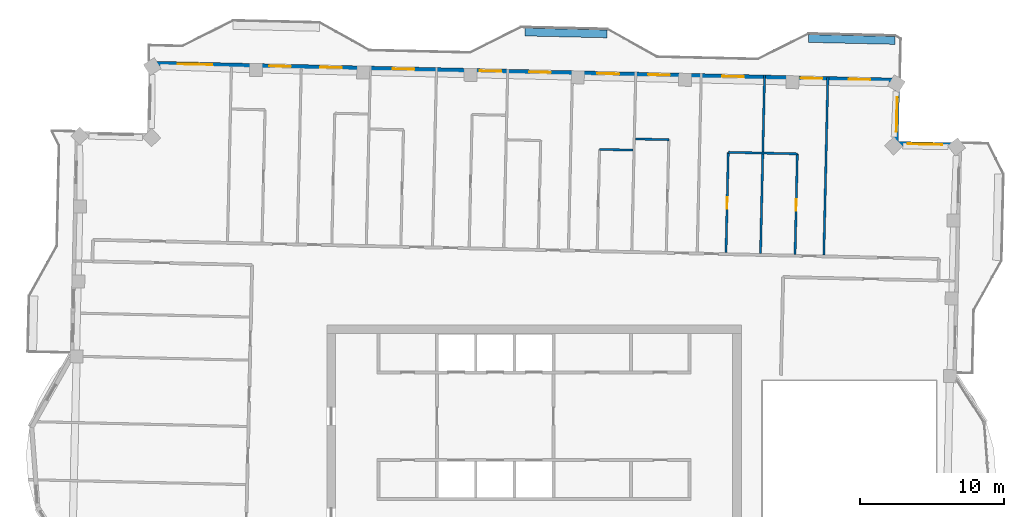
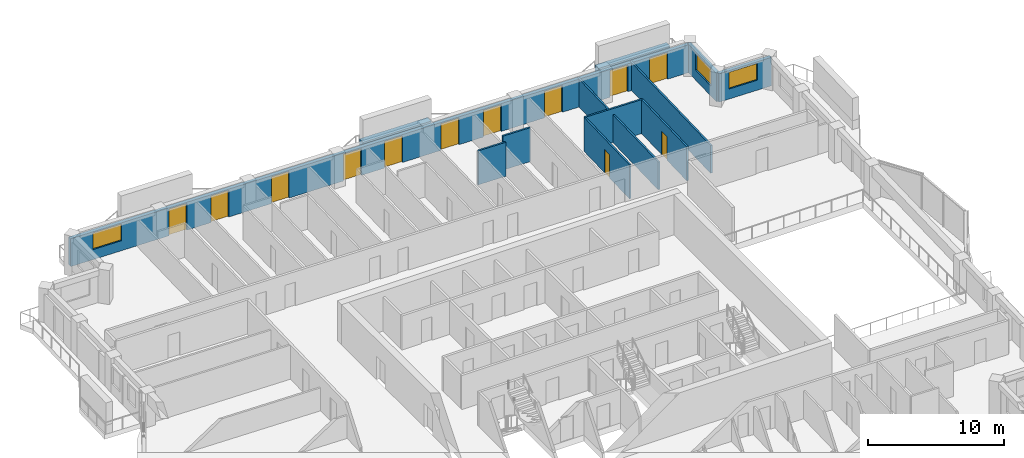
# One storey, part 10 of 15: 12 doors, 12 walls, 3 windows, 15 openings.
"""IFC4 building model written with IfcOpenShell, lengths in metres."""

from ifc_helpers import new_model, si_unit, direction, frame, frame_2d, origin, place, context, subcontext, project, spatial, rectangle, extrude, material, layer, layer_set, type_object, element, fill, save


model = new_model("IFC4")

# Units and contexts
model_context = context("Model", 3, precision=1e-05, world=origin(), true_north=direction((0.0, 1.0)))
body_context = subcontext(model_context, "Body", "Model", "MODEL_VIEW")
ifc_project = project(units=[si_unit("LENGTHUNIT", "METRE"), si_unit("AREAUNIT", "SQUARE_METRE"), si_unit("VOLUMEUNIT", "CUBIC_METRE"), si_unit("PLANEANGLEUNIT", "RADIAN"), si_unit("MASSUNIT", "GRAM", prefix="KILO")], contexts=[model_context])

# Site, building, storey
site_placement = place(None, origin())
site = spatial("IfcSite", under=ifc_project, at=site_placement, CompositionType="ELEMENT")
building_placement = place(site_placement, origin())
building = spatial("IfcBuilding", under=site, at=building_placement, Name="Mangrove Gate Tower", CompositionType="ELEMENT")
storey_placement = place(building_placement, frame((0.0, 0.0, 309.699951171875)))
storey = spatial("IfcBuildingStorey", under=building, at=storey_placement, Name="L79", CompositionType="ELEMENT", Elevation=309.699951171875)

# Wall, opening, window
ifc_material_1 = material(Name="Limestone", Category="masonry")
ifc_layer_1 = layer(ifc_material_1, 0.0400390625, Name="Limestone cladding")
ifc_material_2 = material(Name="Ventilated air gap")
ifc_layer_2 = layer(ifc_material_2, 0.0400390625, Name="Ventilated cavity")
ifc_material_3 = material(Name="Mineral wool insulation")
ifc_layer_3 = layer(ifc_material_3, 0.06005859375, Name="Insulation")
ifc_material_4 = material(Name="Breather membrane")
ifc_layer_4 = layer(ifc_material_4, 0.001953125, Name="Breather membrane")
ifc_material_5 = material(Name="Concrete C20/25 blockwork", Category="masonry")
ifc_layer_5 = layer(ifc_material_5, 0.14990234375, Name="Blockwork backing wall")
ifc_material_6 = material(Name="Gypsum plaster")
ifc_layer_6 = layer(ifc_material_6, 0.008056640625, Name="Internal plaster")
ifc_layer_set_1 = layer_set([ifc_layer_1, ifc_layer_2, ifc_layer_3, ifc_layer_4, ifc_layer_5, ifc_layer_6], Name="External wall 300 limestone cladding")
wall_type_1 = type_object("IfcWallType", Name="External wall 300 limestone cladding", PredefinedType="SOLIDWALL", material=ifc_layer_set_1)
wall_1_placement = place(storey_placement, frame((29.56298828125, 23.89892578125, 0.0), z_axis=(0.0, 0.0, 1.0), x_axis=(-0.999741204967, 0.022749133868, 0.0)))
wall_1 = element("IfcWall", 1, at=wall_1_placement, inside=storey, type_object=wall_type_1, Name="WALL-L79-N3", PredefinedType="SOLIDWALL", context=body_context, shape_type="SweptSolid", body=[
    extrude(rectangle(XDim=4.400146484375, YDim=0.300048828125, at=frame_2d((2.2001953125, 0.0))), origin(), (0.0, 0.0, 1.0), 2.550048828125),
])
opening_1_placement = place(wall_1_placement, frame((1.181884765625, 0.0, 0.89990234375)))
opening_1 = element("IfcOpeningElement", 2, at=opening_1_placement, cuts=wall_1, Name="Opening W2", PredefinedType="OPENING", context=body_context, shape_type="SweptSolid", body=[
    extrude(rectangle(XDim=2.39990234375, YDim=1.5, at=frame_2d((1.199951171875, 0.75))), frame((0.0, 0.159912109375, 0.0), z_axis=(0.0, -1.0, 0.0), x_axis=(1.0, 0.0, 0.0)), (0.0, 0.0, 1.0), 0.320068359375),
])
ifc_material_7 = material(Name="Aluminium frame with double-glazed low-e glass", Category="aluminium")
window_type = type_object("IfcWindowType", Name="Corner room window 2400x1500", PartitioningType="DOUBLE_PANEL_VERTICAL", PredefinedType="WINDOW", material=ifc_material_7)
window_1_placement = place(opening_1_placement, origin())
window_1 = element("IfcWindow", 3, at=window_1_placement, inside=storey, type_object=window_type, Name="WIN-L79-N3-1", OverallHeight=1.5, OverallWidth=2.39990234375, PartitioningType="DOUBLE_PANEL_VERTICAL", PredefinedType="WINDOW", context=body_context, shape_type="SweptSolid", body=[
    extrude(rectangle(XDim=2.39990234375, YDim=1.5, at=frame_2d((1.199951171875, 0.75))), frame((0.0, 0.030029296875, 0.0), z_axis=(0.0, -1.0, 0.0), x_axis=(1.0, 0.0, 0.0)), (0.0, 0.0, 1.0), 0.06005859375),
])
fill(opening_1, window_1)

wall_2_placement = place(storey_placement, frame((25.1640625, 23.9990234375, 0.0), z_axis=(0.0, 0.0, 1.0), x_axis=(0.02269871331, 0.999742351016, 0.0)))
wall_2 = element("IfcWall", 4, at=wall_2_placement, inside=storey, type_object=wall_type_1, Name="WALL-L79-E4", PredefinedType="SOLIDWALL", context=body_context, shape_type="SweptSolid", body=[
    extrude(rectangle(XDim=4.399169921875, YDim=0.300048828125, at=frame_2d((2.19970703125, 0.0))), origin(), (0.0, 0.0, 1.0), 2.550048828125),
])
opening_2_placement = place(wall_2_placement, frame((0.806884765625, 0.0, 0.89990234375)))
opening_2 = element("IfcOpeningElement", 5, at=opening_2_placement, cuts=wall_2, Name="Opening W2", PredefinedType="OPENING", context=body_context, shape_type="SweptSolid", body=[
    extrude(rectangle(XDim=2.39990234375, YDim=1.5, at=frame_2d((1.199951171875, 0.75))), frame((0.0, 0.159912109375, 0.0), z_axis=(0.0, -1.0, 0.0), x_axis=(1.0, 0.0, 0.0)), (0.0, 0.0, 1.0), 0.320068359375),
])
window_2_placement = place(opening_2_placement, origin())
window_2 = element("IfcWindow", 6, at=window_2_placement, inside=storey, type_object=window_type, Name="WIN-L79-E4-1", OverallHeight=1.5, OverallWidth=2.39990234375, PartitioningType="DOUBLE_PANEL_VERTICAL", PredefinedType="WINDOW", context=body_context, shape_type="SweptSolid", body=[
    extrude(rectangle(XDim=2.39990234375, YDim=1.5, at=frame_2d((1.199951171875, 0.75))), frame((0.0, 0.030029296875, 0.0), z_axis=(0.0, -1.0, 0.0), x_axis=(1.0, 0.0, 0.0)), (0.0, 0.0, 1.0), 0.06005859375),
])
fill(opening_2, window_2)

# Wall, openings, doors, window
wall_3_placement = place(storey_placement, frame((25.263916015625, 28.39697265625, 0.0), z_axis=(0.0, 0.0, 1.0), x_axis=(-0.999742391375, 0.022696935658, 0.0)))
wall_3 = element("IfcWall", 7, at=wall_3_placement, inside=storey, type_object=wall_type_1, Name="WALL-L79-N5", PredefinedType="SOLIDWALL", context=body_context, shape_type="SweptSolid", body=[
    extrude(rectangle(XDim=51.900390625, YDim=0.300048828125, at=frame_2d((25.9501953125, 0.0))), origin(), (0.0, 0.0, 1.0), 2.5),
])
opening_3_placement = place(wall_3_placement, frame((1.89794921875, 0.0, 0.0)))
opening_3 = element("IfcOpeningElement", 8, at=opening_3_placement, cuts=wall_3, Name="Opening BD1", PredefinedType="OPENING", context=body_context, shape_type="SweptSolid", body=[
    extrude(rectangle(XDim=1.5, YDim=2.39990234375, at=frame_2d((0.75, 1.199951171875))), frame((0.0, 0.159912109375, 0.0), z_axis=(0.0, -1.0, 0.0), x_axis=(1.0, 0.0, 0.0)), (0.0, 0.0, 1.0), 0.320068359375),
])
opening_4_placement = place(wall_3_placement, frame((5.22900390625, 0.0, 0.0)))
opening_4 = element("IfcOpeningElement", 9, at=opening_4_placement, cuts=wall_3, Name="Opening BD1", PredefinedType="OPENING", context=body_context, shape_type="SweptSolid", body=[
    extrude(rectangle(XDim=1.5, YDim=2.39990234375, at=frame_2d((0.75, 1.199951171875))), frame((0.0, 0.159912109375, 0.0), z_axis=(0.0, -1.0, 0.0), x_axis=(1.0, 0.0, 0.0)), (0.0, 0.0, 1.0), 0.320068359375),
])
opening_5_placement = place(wall_3_placement, frame((10.699951171875, 0.0, 0.0)))
opening_5 = element("IfcOpeningElement", 10, at=opening_5_placement, cuts=wall_3, Name="Opening BD1", PredefinedType="OPENING", context=body_context, shape_type="SweptSolid", body=[
    extrude(rectangle(XDim=1.5, YDim=2.39990234375, at=frame_2d((0.75, 1.199951171875))), frame((0.0, 0.159912109375, 0.0), z_axis=(0.0, -1.0, 0.0), x_axis=(1.0, 0.0, 0.0)), (0.0, 0.0, 1.0), 0.320068359375),
])
opening_6_placement = place(wall_3_placement, frame((15.83203125, 0.0, 0.0)))
opening_6 = element("IfcOpeningElement", 11, at=opening_6_placement, cuts=wall_3, Name="Opening BD1", PredefinedType="OPENING", context=body_context, shape_type="SweptSolid", body=[
    extrude(rectangle(XDim=1.5, YDim=2.39990234375, at=frame_2d((0.75, 1.199951171875))), frame((0.0, 0.159912109375, 0.0), z_axis=(0.0, -1.0, 0.0), x_axis=(1.0, 0.0, 0.0)), (0.0, 0.0, 1.0), 0.320068359375),
])
opening_7_placement = place(wall_3_placement, frame((19.361083984375, 0.0, 0.0)))
opening_7 = element("IfcOpeningElement", 12, at=opening_7_placement, cuts=wall_3, Name="Opening BD1", PredefinedType="OPENING", context=body_context, shape_type="SweptSolid", body=[
    extrude(rectangle(XDim=1.5, YDim=2.39990234375, at=frame_2d((0.75, 1.199951171875))), frame((0.0, 0.159912109375, 0.0), z_axis=(0.0, -1.0, 0.0), x_axis=(1.0, 0.0, 0.0)), (0.0, 0.0, 1.0), 0.320068359375),
])
opening_8_placement = place(wall_3_placement, frame((24.10009765625, 0.0, 0.0)))
opening_8 = element("IfcOpeningElement", 13, at=opening_8_placement, cuts=wall_3, Name="Opening BD1", PredefinedType="OPENING", context=body_context, shape_type="SweptSolid", body=[
    extrude(rectangle(XDim=1.5, YDim=2.39990234375, at=frame_2d((0.75, 1.199951171875))), frame((0.0, 0.159912109375, 0.0), z_axis=(0.0, -1.0, 0.0), x_axis=(1.0, 0.0, 0.0)), (0.0, 0.0, 1.0), 0.320068359375),
])
opening_9_placement = place(wall_3_placement, frame((27.5390625, 0.0, 0.0)))
opening_9 = element("IfcOpeningElement", 14, at=opening_9_placement, cuts=wall_3, Name="Opening BD1", PredefinedType="OPENING", context=body_context, shape_type="SweptSolid", body=[
    extrude(rectangle(XDim=1.5, YDim=2.39990234375, at=frame_2d((0.75, 1.199951171875))), frame((0.0, 0.159912109375, 0.0), z_axis=(0.0, -1.0, 0.0), x_axis=(1.0, 0.0, 0.0)), (0.0, 0.0, 1.0), 0.320068359375),
])
opening_10_placement = place(wall_3_placement, frame((33.60009765625, 0.0, 0.0)))
opening_10 = element("IfcOpeningElement", 15, at=opening_10_placement, cuts=wall_3, Name="Opening BD1", PredefinedType="OPENING", context=body_context, shape_type="SweptSolid", body=[
    extrude(rectangle(XDim=1.5, YDim=2.39990234375, at=frame_2d((0.75, 1.199951171875))), frame((0.0, 0.159912109375, 0.0), z_axis=(0.0, -1.0, 0.0), x_axis=(1.0, 0.0, 0.0)), (0.0, 0.0, 1.0), 0.320068359375),
])
opening_11_placement = place(wall_3_placement, frame((38.64306640625, 0.0, 0.0)))
opening_11 = element("IfcOpeningElement", 16, at=opening_11_placement, cuts=wall_3, Name="Opening BD1", PredefinedType="OPENING", context=body_context, shape_type="SweptSolid", body=[
    extrude(rectangle(XDim=1.5, YDim=2.39990234375, at=frame_2d((0.75, 1.199951171875))), frame((0.0, 0.159912109375, 0.0), z_axis=(0.0, -1.0, 0.0), x_axis=(1.0, 0.0, 0.0)), (0.0, 0.0, 1.0), 0.320068359375),
])
opening_12_placement = place(wall_3_placement, frame((42.1708984375, 0.0, 0.0)))
opening_12 = element("IfcOpeningElement", 17, at=opening_12_placement, cuts=wall_3, Name="Opening BD1", PredefinedType="OPENING", context=body_context, shape_type="SweptSolid", body=[
    extrude(rectangle(XDim=1.5, YDim=2.39990234375, at=frame_2d((0.75, 1.199951171875))), frame((0.0, 0.159912109375, 0.0), z_axis=(0.0, -1.0, 0.0), x_axis=(1.0, 0.0, 0.0)), (0.0, 0.0, 1.0), 0.320068359375),
])
opening_13_placement = place(wall_3_placement, frame((47.636962890625, 0.0, 0.89990234375)))
opening_13 = element("IfcOpeningElement", 18, at=opening_13_placement, cuts=wall_3, Name="Opening W2", PredefinedType="OPENING", context=body_context, shape_type="SweptSolid", body=[
    extrude(rectangle(XDim=2.39990234375, YDim=1.5, at=frame_2d((1.199951171875, 0.75))), frame((0.0, 0.159912109375, 0.0), z_axis=(0.0, -1.0, 0.0), x_axis=(1.0, 0.0, 0.0)), (0.0, 0.0, 1.0), 0.320068359375),
])
ifc_material_8 = material(Name="Aluminium frame with laminated clear glass", Category="aluminium")
door_type_1 = type_object("IfcDoorType", Name="Balcony sliding door 1500x2400", OperationType="SLIDING_TO_LEFT", PredefinedType="DOOR", material=ifc_material_8)
door_1_placement = place(opening_3_placement, origin())
door_1 = element("IfcDoor", 19, at=door_1_placement, inside=storey, type_object=door_type_1, Name="DOOR-L79-N5-1", OperationType="SLIDING_TO_LEFT", OverallHeight=2.39990234375, OverallWidth=1.5, PredefinedType="DOOR", context=body_context, shape_type="SweptSolid", body=[
    extrude(rectangle(XDim=1.5, YDim=2.39990234375, at=frame_2d((0.75, 1.199951171875))), frame((0.0, 0.02490234375, 0.0), z_axis=(0.0, -1.0, 0.0), x_axis=(1.0, 0.0, 0.0)), (0.0, 0.0, 1.0), 0.050048828125),
])
fill(opening_3, door_1)
door_2_placement = place(opening_4_placement, origin())
door_2 = element("IfcDoor", 20, at=door_2_placement, inside=storey, type_object=door_type_1, Name="DOOR-L79-N5-2", OperationType="SLIDING_TO_LEFT", OverallHeight=2.39990234375, OverallWidth=1.5, PredefinedType="DOOR", context=body_context, shape_type="SweptSolid", body=[
    extrude(rectangle(XDim=1.5, YDim=2.39990234375, at=frame_2d((0.75, 1.199951171875))), frame((0.0, 0.02490234375, 0.0), z_axis=(0.0, -1.0, 0.0), x_axis=(1.0, 0.0, 0.0)), (0.0, 0.0, 1.0), 0.050048828125),
])
fill(opening_4, door_2)
door_3_placement = place(opening_5_placement, origin())
door_3 = element("IfcDoor", 21, at=door_3_placement, inside=storey, type_object=door_type_1, Name="DOOR-L79-N5-3", OperationType="SLIDING_TO_LEFT", OverallHeight=2.39990234375, OverallWidth=1.5, PredefinedType="DOOR", context=body_context, shape_type="SweptSolid", body=[
    extrude(rectangle(XDim=1.5, YDim=2.39990234375, at=frame_2d((0.75, 1.199951171875))), frame((0.0, 0.02490234375, 0.0), z_axis=(0.0, -1.0, 0.0), x_axis=(1.0, 0.0, 0.0)), (0.0, 0.0, 1.0), 0.050048828125),
])
fill(opening_5, door_3)
door_4_placement = place(opening_6_placement, origin())
door_4 = element("IfcDoor", 22, at=door_4_placement, inside=storey, type_object=door_type_1, Name="DOOR-L79-N5-4", OperationType="SLIDING_TO_LEFT", OverallHeight=2.39990234375, OverallWidth=1.5, PredefinedType="DOOR", context=body_context, shape_type="SweptSolid", body=[
    extrude(rectangle(XDim=1.5, YDim=2.39990234375, at=frame_2d((0.75, 1.199951171875))), frame((0.0, 0.02490234375, 0.0), z_axis=(0.0, -1.0, 0.0), x_axis=(1.0, 0.0, 0.0)), (0.0, 0.0, 1.0), 0.050048828125),
])
fill(opening_6, door_4)
door_5_placement = place(opening_7_placement, origin())
door_5 = element("IfcDoor", 23, at=door_5_placement, inside=storey, type_object=door_type_1, Name="DOOR-L79-N5-5", OperationType="SLIDING_TO_LEFT", OverallHeight=2.39990234375, OverallWidth=1.5, PredefinedType="DOOR", context=body_context, shape_type="SweptSolid", body=[
    extrude(rectangle(XDim=1.5, YDim=2.39990234375, at=frame_2d((0.75, 1.199951171875))), frame((0.0, 0.02490234375, 0.0), z_axis=(0.0, -1.0, 0.0), x_axis=(1.0, 0.0, 0.0)), (0.0, 0.0, 1.0), 0.050048828125),
])
fill(opening_7, door_5)
door_6_placement = place(opening_8_placement, origin())
door_6 = element("IfcDoor", 24, at=door_6_placement, inside=storey, type_object=door_type_1, Name="DOOR-L79-N5-6", OperationType="SLIDING_TO_LEFT", OverallHeight=2.39990234375, OverallWidth=1.5, PredefinedType="DOOR", context=body_context, shape_type="SweptSolid", body=[
    extrude(rectangle(XDim=1.5, YDim=2.39990234375, at=frame_2d((0.75, 1.199951171875))), frame((0.0, 0.02490234375, 0.0), z_axis=(0.0, -1.0, 0.0), x_axis=(1.0, 0.0, 0.0)), (0.0, 0.0, 1.0), 0.050048828125),
])
fill(opening_8, door_6)
door_7_placement = place(opening_9_placement, origin())
door_7 = element("IfcDoor", 25, at=door_7_placement, inside=storey, type_object=door_type_1, Name="DOOR-L79-N5-7", OperationType="SLIDING_TO_LEFT", OverallHeight=2.39990234375, OverallWidth=1.5, PredefinedType="DOOR", context=body_context, shape_type="SweptSolid", body=[
    extrude(rectangle(XDim=1.5, YDim=2.39990234375, at=frame_2d((0.75, 1.199951171875))), frame((0.0, 0.02490234375, 0.0), z_axis=(0.0, -1.0, 0.0), x_axis=(1.0, 0.0, 0.0)), (0.0, 0.0, 1.0), 0.050048828125),
])
fill(opening_9, door_7)
door_8_placement = place(opening_10_placement, origin())
door_8 = element("IfcDoor", 26, at=door_8_placement, inside=storey, type_object=door_type_1, Name="DOOR-L79-N5-8", OperationType="SLIDING_TO_LEFT", OverallHeight=2.39990234375, OverallWidth=1.5, PredefinedType="DOOR", context=body_context, shape_type="SweptSolid", body=[
    extrude(rectangle(XDim=1.5, YDim=2.39990234375, at=frame_2d((0.75, 1.199951171875))), frame((0.0, 0.02490234375, 0.0), z_axis=(0.0, -1.0, 0.0), x_axis=(1.0, 0.0, 0.0)), (0.0, 0.0, 1.0), 0.050048828125),
])
fill(opening_10, door_8)
door_9_placement = place(opening_11_placement, origin())
door_9 = element("IfcDoor", 27, at=door_9_placement, inside=storey, type_object=door_type_1, Name="DOOR-L79-N5-9", OperationType="SLIDING_TO_LEFT", OverallHeight=2.39990234375, OverallWidth=1.5, PredefinedType="DOOR", context=body_context, shape_type="SweptSolid", body=[
    extrude(rectangle(XDim=1.5, YDim=2.39990234375, at=frame_2d((0.75, 1.199951171875))), frame((0.0, 0.02490234375, 0.0), z_axis=(0.0, -1.0, 0.0), x_axis=(1.0, 0.0, 0.0)), (0.0, 0.0, 1.0), 0.050048828125),
])
fill(opening_11, door_9)
door_10_placement = place(opening_12_placement, origin())
door_10 = element("IfcDoor", 28, at=door_10_placement, inside=storey, type_object=door_type_1, Name="DOOR-L79-N5-10", OperationType="SLIDING_TO_LEFT", OverallHeight=2.39990234375, OverallWidth=1.5, PredefinedType="DOOR", context=body_context, shape_type="SweptSolid", body=[
    extrude(rectangle(XDim=1.5, YDim=2.39990234375, at=frame_2d((0.75, 1.199951171875))), frame((0.0, 0.02490234375, 0.0), z_axis=(0.0, -1.0, 0.0), x_axis=(1.0, 0.0, 0.0)), (0.0, 0.0, 1.0), 0.050048828125),
])
fill(opening_12, door_10)
window_3_placement = place(opening_13_placement, origin())
window_3 = element("IfcWindow", 29, at=window_3_placement, inside=storey, type_object=window_type, Name="WIN-L79-N5-11", OverallHeight=1.5, OverallWidth=2.39990234375, PartitioningType="DOUBLE_PANEL_VERTICAL", PredefinedType="WINDOW", context=body_context, shape_type="SweptSolid", body=[
    extrude(rectangle(XDim=2.39990234375, YDim=1.5, at=frame_2d((1.199951171875, 0.75))), frame((0.0, 0.030029296875, 0.0), z_axis=(0.0, -1.0, 0.0), x_axis=(1.0, 0.0, 0.0)), (0.0, 0.0, 1.0), 0.06005859375),
])
fill(opening_13, window_3)

# Wall, opening, door
ifc_material_9 = material(Name="Gypsum board on steel stud, EI 60", Category="steel")
ifc_layer_7 = layer(ifc_material_9, 0.14990234375)
ifc_layer_set_2 = layer_set([ifc_layer_7], Name="Party wall 150 EI 60")
wall_type_2 = type_object("IfcWallType", Name="Party wall 150 EI 60", PredefinedType="PARTITIONING", material=ifc_layer_set_2)
wall_4_placement = place(storey_placement, frame((13.339111328125, 16.4150390625, 0.0), z_axis=(0.0, 0.0, 1.0), x_axis=(0.022630826984, 0.999743890039, 0.0)))
wall_4 = element("IfcWall", 30, at=wall_4_placement, inside=storey, type_object=wall_type_2, Name="WALL-L79-074", PredefinedType="PARTITIONING", context=body_context, shape_type="SweptSolid", body=[
    extrude(rectangle(XDim=6.979736328125, YDim=0.14990234375, at=frame_2d((3.48974609375, 0.0))), origin(), (0.0, 0.0, 1.0), 3.050048828125),
])
opening_14_placement = place(wall_4_placement, frame((3.0400390625, 0.0, 0.0)))
opening_14 = element("IfcOpeningElement", 31, at=opening_14_placement, cuts=wall_4, Name="Opening ED", PredefinedType="OPENING", context=body_context, shape_type="SweptSolid", body=[
    extrude(rectangle(XDim=0.800048828125, YDim=2.10009765625, at=frame_2d((0.39990234375, 1.050048828125))), frame((0.0, 0.0849609375, 0.0), z_axis=(0.0, -1.0, 0.0), x_axis=(1.0, 0.0, 0.0)), (0.0, 0.0, 1.0), 0.169921875),
])
ifc_material_10 = material(Name="Timber door leaf", Category="wood")
door_type_2 = type_object("IfcDoorType", Name="En-suite door 800", OperationType="SINGLE_SWING_LEFT", PredefinedType="DOOR", material=ifc_material_10)
door_11_placement = place(opening_14_placement, origin())
door_11 = element("IfcDoor", 32, at=door_11_placement, inside=storey, type_object=door_type_2, Name="DOOR-L79-ENS-c312", OperationType="SINGLE_SWING_RIGHT", OverallHeight=2.10009765625, OverallWidth=0.800048828125, PredefinedType="DOOR", context=body_context, shape_type="SweptSolid", body=[
    extrude(rectangle(XDim=0.800048828125, YDim=2.10009765625, at=frame_2d((0.39990234375, 1.050048828125))), frame((0.0, 0.02490234375, 0.0), z_axis=(0.0, -1.0, 0.0), x_axis=(1.0, 0.0, 0.0)), (0.0, 0.0, 1.0), 0.050048828125),
])
fill(opening_14, door_11)

# Wall
wall_5_placement = place(storey_placement, frame((15.738037109375, 16.360107421875, 0.0), z_axis=(0.0, 0.0, 1.0), x_axis=(0.022740189192, 0.999741408463, 0.0)))
element("IfcWall", 33, at=wall_5_placement, inside=storey, type_object=wall_type_2, Name="WALL-L79-075", PredefinedType="PARTITIONING", context=body_context, shape_type="SweptSolid", body=[
    extrude(rectangle(XDim=12.400146484375, YDim=0.14990234375, at=frame_2d((6.2001953125, 0.0))), origin(), (0.0, 0.0, 1.0), 2.5),
])

# Wall, opening, door
wall_6_placement = place(storey_placement, frame((18.137939453125, 16.305908203125, 0.0), z_axis=(0.0, 0.0, 1.0), x_axis=(0.022630826984, 0.999743890039, 0.0)))
wall_6 = element("IfcWall", 34, at=wall_6_placement, inside=storey, type_object=wall_type_2, Name="WALL-L79-076", PredefinedType="PARTITIONING", context=body_context, shape_type="SweptSolid", body=[
    extrude(rectangle(XDim=6.979736328125, YDim=0.14990234375, at=frame_2d((3.48974609375, 0.0))), origin(), (0.0, 0.0, 1.0), 3.050048828125),
])
opening_15_placement = place(wall_6_placement, frame((3.0400390625, 0.0, 0.0)))
opening_15 = element("IfcOpeningElement", 35, at=opening_15_placement, cuts=wall_6, Name="Opening ED", PredefinedType="OPENING", context=body_context, shape_type="SweptSolid", body=[
    extrude(rectangle(XDim=0.800048828125, YDim=2.10009765625, at=frame_2d((0.39990234375, 1.050048828125))), frame((0.0, 0.0849609375, 0.0), z_axis=(0.0, -1.0, 0.0), x_axis=(1.0, 0.0, 0.0)), (0.0, 0.0, 1.0), 0.169921875),
])
door_12_placement = place(opening_15_placement, origin())
door_12 = element("IfcDoor", 36, at=door_12_placement, inside=storey, type_object=door_type_2, Name="DOOR-L79-ENS-c311", OperationType="SINGLE_SWING_LEFT", OverallHeight=2.10009765625, OverallWidth=0.800048828125, PredefinedType="DOOR", context=body_context, shape_type="SweptSolid", body=[
    extrude(rectangle(XDim=0.800048828125, YDim=2.10009765625, at=frame_2d((0.39990234375, 1.050048828125))), frame((0.0, 0.02490234375, 0.0), z_axis=(0.0, -1.0, 0.0), x_axis=(1.0, 0.0, 0.0)), (0.0, 0.0, 1.0), 0.050048828125),
])
fill(opening_15, door_12)

# Walls
wall_7_placement = place(storey_placement, frame((20.136962890625, 16.260986328125, 0.0), z_axis=(0.0, 0.0, 1.0), x_axis=(0.022663260168, 0.999743155335, 0.0)))
element("IfcWall", 37, at=wall_7_placement, inside=storey, type_object=wall_type_2, Name="WALL-L79-077", PredefinedType="PARTITIONING", context=body_context, shape_type="SweptSolid", body=[
    extrude(rectangle(XDim=12.399169921875, YDim=0.14990234375, at=frame_2d((6.19970703125, 0.0))), origin(), (0.0, 0.0, 1.0), 2.5),
])
wall_8_placement = place(storey_placement, frame((4.549072265625, 23.595947265625, 0.0), z_axis=(0.0, 0.0, 1.0), x_axis=(0.999740478815, -0.022781023197, 0.0)))
element("IfcWall", 38, at=wall_8_placement, inside=storey, type_object=wall_type_2, Name="WALL-L79-078", PredefinedType="PARTITIONING", context=body_context, shape_type="SweptSolid", body=[
    extrude(rectangle(XDim=2.325439453125, YDim=0.14990234375, at=frame_2d((1.16259765625, 0.0))), origin(), (0.0, 0.0, 1.0), 3.050048828125),
])
wall_9_placement = place(storey_placement, frame((13.4970703125, 23.39306640625, 0.0), z_axis=(0.0, 0.0, 1.0), x_axis=(0.999741520352, -0.022735269617, 0.0)))
element("IfcWall", 39, at=wall_9_placement, inside=storey, type_object=wall_type_2, Name="WALL-L79-079", PredefinedType="PARTITIONING", context=body_context, shape_type="SweptSolid", body=[
    extrude(rectangle(XDim=4.800048828125, YDim=0.14990234375, at=frame_2d((2.39990234375, 0.0))), origin(), (0.0, 0.0, 1.0), 3.050048828125),
])
wall_10_placement = place(storey_placement, frame((7.0419921875, 24.320068359375, 0.0), z_axis=(0.0, 0.0, 1.0), x_axis=(0.999740260747, -0.02279059109, 0.0)))
element("IfcWall", 40, at=wall_10_placement, inside=storey, type_object=wall_type_2, Name="WALL-L79-081", PredefinedType="PARTITIONING", context=body_context, shape_type="SweptSolid", body=[
    extrude(rectangle(XDim=2.324462890625, YDim=0.14990234375, at=frame_2d((1.162109375, 0.0))), origin(), (0.0, 0.0, 1.0), 3.050048828125),
])
ifc_material_11 = material(Name="Concrete C32/40", Category="concrete")
ifc_layer_8 = layer(ifc_material_11, 0.199951171875, Name="Planter trough wall")
ifc_material_12 = material(Name="Bituminous waterproofing membrane")
ifc_layer_9 = layer(ifc_material_12, 0.0048828125, Name="Waterproofing")
ifc_material_13 = material(Name="Drainage board and gravel")
ifc_layer_10 = layer(ifc_material_13, 0.044921875, Name="Drainage layer")
ifc_material_14 = material(Name="Planting soil")
ifc_layer_11 = layer(ifc_material_14, 0.300048828125, Name="Growing medium")
ifc_layer_set_3 = layer_set([ifc_layer_8, ifc_layer_9, ifc_layer_10, ifc_layer_11], Name="Planter wall 550 C32/40")
wall_type_3 = type_object("IfcWallType", Name="Planter wall 550 C32/40", PredefinedType="USERDEFINED", material=ifc_layer_set_3)
wall_11_placement = place(storey_placement, frame((-0.616943359375, 31.75, 0.0), z_axis=(0.0, 0.0, 1.0), x_axis=(0.999744284001, -0.022613416525, 0.0)))
element("IfcWall", 41, at=wall_11_placement, inside=storey, type_object=wall_type_3, Name="PLANTER L79 N0.1", ObjectType="PLANTER", PredefinedType="USERDEFINED", context=body_context, shape_type="SweptSolid", body=[
    extrude(rectangle(XDim=5.700439453125, YDim=0.550048828125, at=frame_2d((2.85009765625, 0.0))), origin(), (0.0, 0.0, 1.0), 0.800048828125),
])
wall_12_placement = place(storey_placement, frame((19.077880859375, 31.302978515625, 0.0), z_axis=(0.0, 0.0, 1.0), x_axis=(0.999743178102, -0.022662255828, 0.0)))
element("IfcWall", 42, at=wall_12_placement, inside=storey, type_object=wall_type_3, Name="PLANTER L79 N0.2", ObjectType="PLANTER", PredefinedType="USERDEFINED", context=body_context, shape_type="SweptSolid", body=[
    extrude(rectangle(XDim=6.00048828125, YDim=0.550048828125, at=frame_2d((3.000244140625, 0.0))), origin(), (0.0, 0.0, 1.0), 0.800048828125),
])

save(model, "model.ifc")
